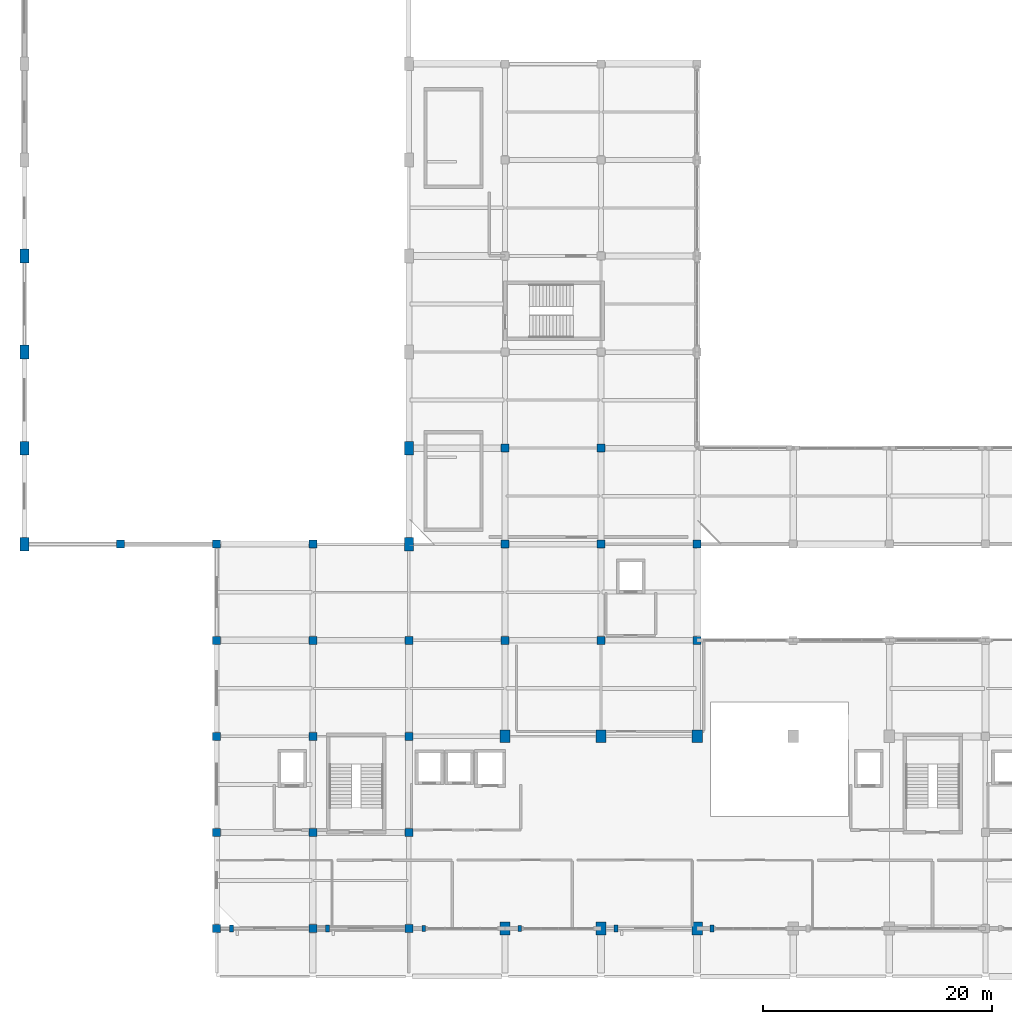
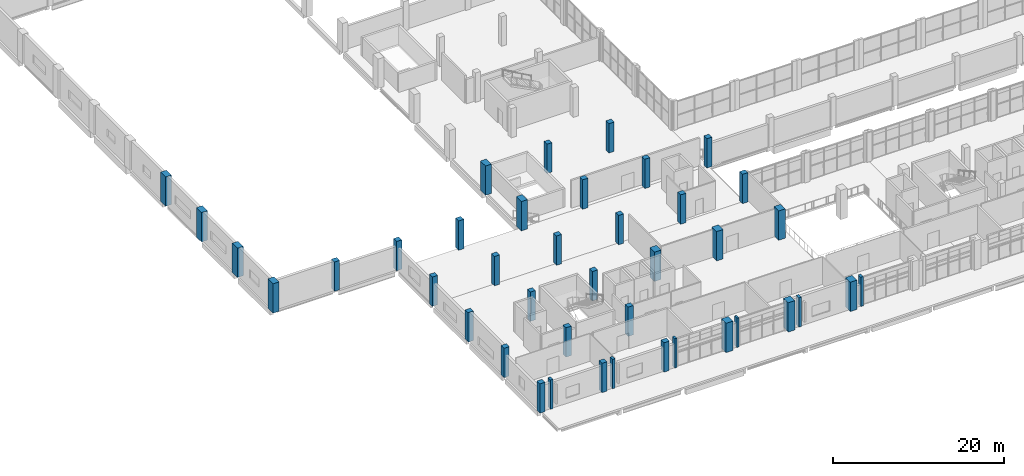
# One storey, part 1 of 59: 41 columns.
"""IFC4 building model written with IfcOpenShell, lengths in metres."""

from ifc_helpers import new_model, si_unit, derived_unit, direction, frame, origin, origin_2d, place, context, subcontext, project, spatial, rectangle, extrude, material, material_profile, profile_set, type_object, element, save


model = new_model("IFC4")

# Units and contexts
model_context = context("Model", 3, precision=1e-05, world=origin(), true_north=direction((0.0, 1.0)))
body_context = subcontext(model_context, "Body", "Model", "MODEL_VIEW")
ifc_project = project(units=[si_unit("LENGTHUNIT", "METRE"), si_unit("AREAUNIT", "SQUARE_METRE"), si_unit("VOLUMEUNIT", "CUBIC_METRE"), si_unit("PLANEANGLEUNIT", "RADIAN"), si_unit("MASSUNIT", "GRAM", prefix="KILO"), derived_unit("THERMALTRANSMITTANCEUNIT", [(si_unit("POWERUNIT", "WATT"), 1), (si_unit("LENGTHUNIT", "METRE"), -2), (si_unit("THERMODYNAMICTEMPERATUREUNIT", "KELVIN"), -1)])], contexts=[model_context])

# Site, building, storey
site_placement = place(None, origin())
site = spatial("IfcSite", under=ifc_project, at=site_placement, CompositionType="ELEMENT")
building_placement = place(site_placement, origin())
building = spatial("IfcBuilding", under=site, at=building_placement, Name="Barrovel Congress Hotel", CompositionType="ELEMENT")
storey_placement = place(building_placement, frame((0.0, 0.0, 9.89990234375)))
storey = spatial("IfcBuildingStorey", under=building, at=storey_placement, Name="L02", CompositionType="ELEMENT", Elevation=9.89990234375)

# Columns
ifc_material_1 = material(Name="Concrete C40", Category="concrete")
ifc_material_profile_1 = material_profile(ifc_material_1, rectangle(XDim=0.699951171875, YDim=0.699951171875, at=origin_2d()), Name="RC700x700")
ifc_profile_set_1 = profile_set([ifc_material_profile_1], Name="Concrete C40")
column_type_1 = type_object("IfcColumnType", Name="COL-RC700x700", PredefinedType="COLUMN", material=ifc_profile_set_1)
for number, where, z_axis, x_axis, name in (
    (1, (8.39990234375, 37.800048828125, 0.0), (0.0, 0.0, 1.0), (1.0, 0.0, 0.0), "COL:L02:8.4:37.8"),
    (2, (16.800048828125, 4.199951171875, 0.0), (0.0, 0.0, 1.0), (1.0, 0.0, 0.0), "COL:L02:16.8:4.2"),
    (3, (16.800048828125, 12.60009765625, 0.0), (0.0, 0.0, 1.0), (1.0, 0.0, 0.0), "COL:L02:16.8:12.6"),
    (4, (16.800048828125, 21.0, 0.0), (0.0, 0.0, 1.0), (1.0, 0.0, 0.0), "COL:L02:16.8:21.0"),
    (5, (16.800048828125, 29.39990234375, 0.0), (0.0, 0.0, 1.0), (1.0, 0.0, 0.0), "COL:L02:16.8:29.4"),
    (6, (16.800048828125, 37.800048828125, 0.0), (0.0, 0.0, 1.0), (1.0, 0.0, 0.0), "COL:L02:16.8:37.8"),
    (7, (25.199951171875, 4.199951171875, 0.0), (0.0, 0.0, 1.0), (1.0, 0.0, 0.0), "COL:L02:25.2:4.2"),
    (8, (25.199951171875, 12.60009765625, 0.0), (0.0, 0.0, 1.0), (1.0, 0.0, 0.0), "COL:L02:25.2:12.6"),
    (9, (25.199951171875, 21.0, 0.0), (0.0, 0.0, 1.0), (1.0, 0.0, 0.0), "COL:L02:25.2:21.0"),
    (10, (25.199951171875, 29.39990234375, 0.0), (0.0, 0.0, 1.0), (1.0, 0.0, 0.0), "COL:L02:25.2:29.4"),
    (11, (25.199951171875, 37.800048828125, 0.0), (0.0, 0.0, 1.0), (1.0, 0.0, 0.0), "COL:L02:25.2:37.8"),
    (12, (33.60009765625, 4.199951171875, 0.0), (0.0, 0.0, 1.0), (1.0, 0.0, 0.0), "COL:L02:33.6:4.2"),
    (13, (33.60009765625, 12.60009765625, 0.0), (0.0, 0.0, 1.0), (1.0, 0.0, 0.0), "COL:L02:33.6:12.6"),
    (14, (33.60009765625, 21.0, 0.0), (0.0, 0.0, 1.0), (1.0, 0.0, 0.0), "COL:L02:33.6:21.0"),
    (15, (33.60009765625, 29.39990234375, 0.0), (0.0, 0.0, 1.0), (1.0, 0.0, 0.0), "COL:L02:33.6:29.4"),
    (16, (42.0, 29.39990234375, 0.0), (0.0, 0.0, 1.0), (1.0, 0.0, 0.0), "COL:L02:42.0:29.4"),
    (17, (42.0, 37.800048828125, 0.0), (0.0, 0.0, 1.0), (1.0, 0.0, 0.0), "COL:L02:42.0:37.8"),
    (18, (42.0, 46.199951171875, 0.0), (0.0, 0.0, 1.0), (1.0, 0.0, 0.0), "COL:L02:42.0:46.2"),
    (19, (50.39990234375, 29.39990234375, 0.0), (0.0, 0.0, 1.0), (1.0, 0.0, 0.0), "COL:L02:50.4:29.4"),
    (20, (50.39990234375, 37.800048828125, 0.0), (0.0, 0.0, 1.0), (1.0, 0.0, 0.0), "COL:L02:50.4:37.8"),
    (21, (50.39990234375, 46.199951171875, 0.0), (0.0, 0.0, 1.0), (1.0, 0.0, 0.0), "COL:L02:50.4:46.2"),
    (22, (58.800048828125, 29.39990234375, 0.0), (0.0, 0.0, 1.0), (1.0, 0.0, 0.0), "COL:L02:58.8:29.4"),
    (23, (58.800048828125, 37.800048828125, 0.0), (0.0, 0.0, 1.0), (1.0, 0.0, 0.0), "COL:L02:58.8:37.8"),
):
    element("IfcColumn", number, at=place(storey_placement, frame(where, z_axis=z_axis, x_axis=x_axis)), inside=storey, type_object=column_type_1, Name=name, PredefinedType="COLUMN", context=body_context, shape_type="SweptSolid", body=[
        extrude(rectangle(XDim=0.699951171875, YDim=0.699951171875, at=origin_2d()), origin(), (0.0, 0.0, 1.0), 4.2001953125),
    ])
ifc_material_profile_2 = material_profile(ifc_material_1, rectangle(XDim=0.800048828125, YDim=1.199951171875, at=origin_2d()), Name="RC800x1200")
ifc_profile_set_2 = profile_set([ifc_material_profile_2], Name="Concrete C40")
column_type_2 = type_object("IfcColumnType", Name="COL-RC800x1200", PredefinedType="COLUMN", material=ifc_profile_set_2)
for number, where, z_axis, x_axis, name in (
    (24, (0.0, 37.800048828125, 0.0), (0.0, 0.0, 1.0), (1.0, 0.0, 0.0), "COL:L02:0.0:37.8"),
    (25, (0.0, 46.199951171875, 0.0), (0.0, 0.0, 1.0), (1.0, 0.0, 0.0), "COL:L02:0.0:46.2"),
    (26, (0.0, 54.60009765625, 0.0), (0.0, 0.0, 1.0), (1.0, 0.0, 0.0), "COL:L02:0.0:54.6"),
    (27, (0.0, 63.0, 0.0), (0.0, 0.0, 1.0), (1.0, 0.0, 0.0), "COL:L02:0.0:63.0"),
    (28, (33.60009765625, 37.800048828125, 0.0), (0.0, 0.0, 1.0), (1.0, 0.0, 0.0), "COL:L02:33.6:37.8"),
    (29, (33.60009765625, 46.199951171875, 0.0), (0.0, 0.0, 1.0), (1.0, 0.0, 0.0), "COL:L02:33.6:46.2"),
):
    element("IfcColumn", number, at=place(storey_placement, frame(where, z_axis=z_axis, x_axis=x_axis)), inside=storey, type_object=column_type_2, Name=name, PredefinedType="COLUMN", context=body_context, shape_type="SweptSolid", body=[
        extrude(rectangle(XDim=0.800048828125, YDim=1.199951171875, at=origin_2d()), origin(), (0.0, 0.0, 1.0), 4.2001953125),
    ])
ifc_material_2 = material(Name="Concrete C50", Category="concrete")
ifc_material_profile_3 = material_profile(ifc_material_2, rectangle(XDim=0.89990234375, YDim=1.10009765625, at=origin_2d()), Name="RC900x1100")
ifc_profile_set_3 = profile_set([ifc_material_profile_3], Name="Concrete C50")
column_type_3 = type_object("IfcColumnType", Name="COL-RC900x1100", PredefinedType="COLUMN", material=ifc_profile_set_3)
for number, where, z_axis, x_axis, name in (
    (30, (42.0, 4.199951171875, 0.0), (0.0, 0.0, 1.0), (1.0, 0.0, 0.0), "COL:L02:42.0:4.2"),
    (31, (42.0, 21.0, 0.0), (0.0, 0.0, 1.0), (1.0, 0.0, 0.0), "COL:L02:42.0:21.0"),
    (32, (50.39990234375, 4.199951171875, 0.0), (0.0, 0.0, 1.0), (1.0, 0.0, 0.0), "COL:L02:50.4:4.2"),
    (33, (50.39990234375, 21.0, 0.0), (0.0, 0.0, 1.0), (1.0, 0.0, 0.0), "COL:L02:50.4:21.0"),
    (34, (58.800048828125, 4.199951171875, 0.0), (0.0, 0.0, 1.0), (1.0, 0.0, 0.0), "COL:L02:58.8:4.2"),
    (35, (58.800048828125, 21.0, 0.0), (0.0, 0.0, 1.0), (1.0, 0.0, 0.0), "COL:L02:58.8:21.0"),
):
    element("IfcColumn", number, at=place(storey_placement, frame(where, z_axis=z_axis, x_axis=x_axis)), inside=storey, type_object=column_type_3, Name=name, PredefinedType="COLUMN", context=body_context, shape_type="SweptSolid", body=[
        extrude(rectangle(XDim=0.89990234375, YDim=1.10009765625, at=origin_2d()), origin(), (0.0, 0.0, 1.0), 4.2001953125),
    ])
ifc_material_profile_4 = material_profile(ifc_material_1, rectangle(XDim=0.300048828125, YDim=0.550048828125, at=origin_2d()), Name="RC300x550")
ifc_profile_set_4 = profile_set([ifc_material_profile_4], Name="Concrete C40")
column_type_4 = type_object("IfcColumnType", Name="PIL-RC300x550", PredefinedType="PILASTER", material=ifc_profile_set_4)
for number, where, z_axis, x_axis, name in (
    (36, (34.89990234375, 4.199951171875, 0.0), (0.0, 0.0, 1.0), (1.0, 0.0, 0.0), "PIL:L02:S:34.9"),
    (37, (43.300048828125, 4.199951171875, 0.0), (0.0, 0.0, 1.0), (1.0, 0.0, 0.0), "PIL:L02:S:43.3"),
):
    element("IfcColumn", number, at=place(storey_placement, frame(where, z_axis=z_axis, x_axis=x_axis)), inside=storey, type_object=column_type_4, Name=name, PredefinedType="PILASTER", context=body_context, shape_type="SweptSolid", body=[
        extrude(rectangle(XDim=0.300048828125, YDim=0.550048828125, at=origin_2d()), origin(), (0.0, 0.0, 1.0), 4.2001953125),
    ])
ifc_material_profile_5 = material_profile(ifc_material_1, rectangle(XDim=0.35009765625, YDim=0.60009765625, at=origin_2d()), Name="RC350x600")
ifc_profile_set_5 = profile_set([ifc_material_profile_5], Name="Concrete C40")
column_type_5 = type_object("IfcColumnType", Name="PIL-RC350x600", PredefinedType="PILASTER", material=ifc_profile_set_5)
for number, where, z_axis, x_axis, name in (
    (38, (18.10009765625, 4.199951171875, 0.0), (0.0, 0.0, 1.0), (1.0, 0.0, 0.0), "PIL:L02:S:18.1"),
    (39, (26.5, 4.199951171875, 0.0), (0.0, 0.0, 1.0), (1.0, 0.0, 0.0), "PIL:L02:S:26.5"),
    (40, (51.699951171875, 4.199951171875, 0.0), (0.0, 0.0, 1.0), (1.0, 0.0, 0.0), "PIL:L02:S:51.7"),
    (41, (60.10009765625, 4.199951171875, 0.0), (0.0, 0.0, 1.0), (1.0, 0.0, 0.0), "PIL:L02:S:60.1"),
):
    element("IfcColumn", number, at=place(storey_placement, frame(where, z_axis=z_axis, x_axis=x_axis)), inside=storey, type_object=column_type_5, Name=name, PredefinedType="PILASTER", context=body_context, shape_type="SweptSolid", body=[
        extrude(rectangle(XDim=0.35009765625, YDim=0.60009765625, at=origin_2d()), origin(), (0.0, 0.0, 1.0), 4.2001953125),
    ])

save(model, "model.ifc")
